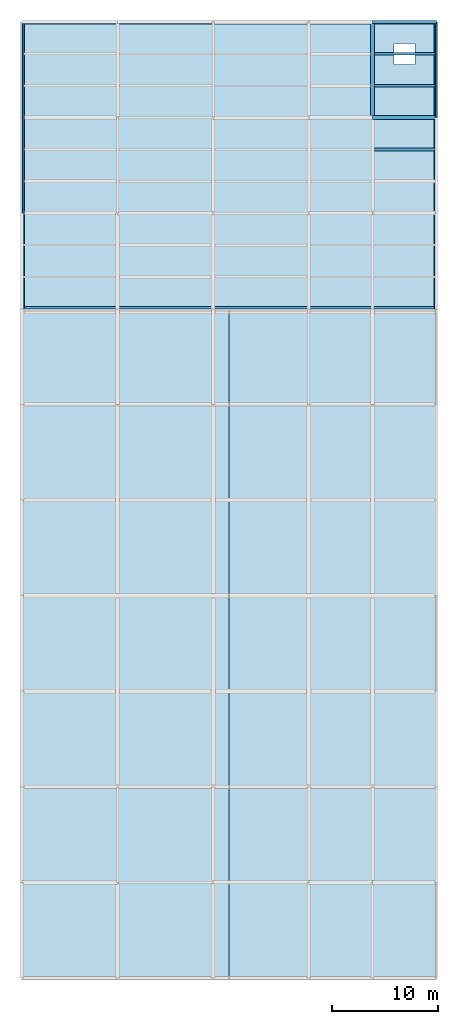
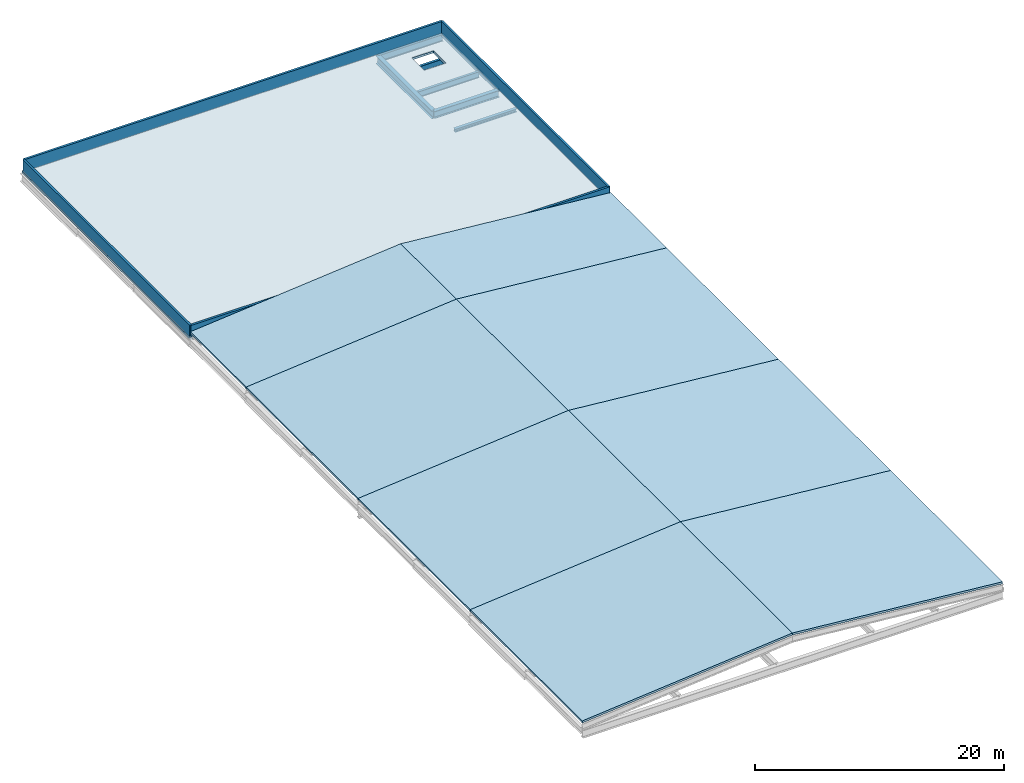
# One storey, part 2 of 3: 8 roofs, 7 beams, 4 walls, 1 slab.
"""IFC4 building model written with IfcOpenShell, lengths in metres."""

from ifc_helpers import new_model, si_unit, direction, frame, frame_2d, origin, origin_2d, place, context, subcontext, project, spatial, polyline, rectangle, hollow_rectangle, i_section, outline, extrude, material, layer, layer_set, material_profile, profile_set, type_object, element, save


model = new_model("IFC4")

# Units and contexts
model_context = context("Model", 3, precision=1e-05, world=origin(), true_north=direction((0.0, 1.0)))
body_context = subcontext(model_context, "Body", "Model", "MODEL_VIEW")
ifc_project = project(units=[si_unit("LENGTHUNIT", "METRE"), si_unit("AREAUNIT", "SQUARE_METRE"), si_unit("VOLUMEUNIT", "CUBIC_METRE"), si_unit("PLANEANGLEUNIT", "RADIAN"), si_unit("MASSUNIT", "GRAM", prefix="KILO")], contexts=[model_context])

# Site, building, storey
site_placement = place(None, origin())
site = spatial("IfcSite", under=ifc_project, at=site_placement, CompositionType="ELEMENT")
building_placement = place(site_placement, origin())
building = spatial("IfcBuilding", under=site, at=building_placement, Name="Qamarlyn Nura Convention Centre", CompositionType="ELEMENT")
storey_placement = place(building_placement, frame((0.0, 0.0, 30.0)))
storey = spatial("IfcBuildingStorey", under=building, at=storey_placement, Name="RF", CompositionType="ELEMENT", Elevation=30.0)

# Beams
ifc_material_1 = material(Name="Steel ASTM A992", Category="steel")
ifc_material_profile_1 = material_profile(ifc_material_1, i_section(OverallWidth=0.35498046875, OverallDepth=0.695068359375, WebThickness=0.015380859375, FlangeThickness=0.02490234375, FilletRadius=0.01806640625, at=origin_2d()), Name="W690X217")
ifc_profile_set_1 = profile_set([ifc_material_profile_1], Name="Steel ASTM A992")
beam_type_1 = type_object("IfcBeamType", Name="BM-GIRD-690A", PredefinedType="BEAM", material=ifc_profile_set_1)
beam_1_placement = place(storey_placement, frame((186.0, 81.0, -0.552490234375), z_axis=(1.0, 0.0, 0.0), x_axis=(0.0, 1.0, 0.0)))
element("IfcBeam", 1, at=beam_1_placement, inside=storey, type_object=beam_type_1, Name="RF girder K 17-18", PredefinedType="BEAM", context=body_context, shape_type="SweptSolid", body=[
    extrude(i_section(OverallWidth=0.35498046875, OverallDepth=0.695068359375, WebThickness=0.015380859375, FlangeThickness=0.02490234375, FilletRadius=0.01806640625, at=origin_2d()), origin(), (0.0, 0.0, 1.0), 6.0),
])
ifc_material_profile_2 = material_profile(ifc_material_1, i_section(OverallWidth=0.25390625, OverallDepth=0.68408203125, WebThickness=0.012451171875, FlangeThickness=0.01904296875, FilletRadius=0.01806640625, at=origin_2d()), Name="W690X140")
ifc_profile_set_2 = profile_set([ifc_material_profile_2], Name="Steel ASTM A992")
beam_type_2 = type_object("IfcBeamType", Name="BM-GIRD-690B", PredefinedType="BEAM", material=ifc_profile_set_2)
beam_2_placement = place(storey_placement, frame((186.0, 90.0, -0.547119140625), z_axis=(1.0, 0.0, 0.0), x_axis=(0.0, 1.0, 0.0)))
element("IfcBeam", 2, at=beam_2_placement, inside=storey, type_object=beam_type_2, Name="RF girder L 17-18", PredefinedType="BEAM", context=body_context, shape_type="SweptSolid", body=[
    extrude(i_section(OverallWidth=0.25390625, OverallDepth=0.68408203125, WebThickness=0.012451171875, FlangeThickness=0.01904296875, FilletRadius=0.01806640625, at=origin_2d()), origin(), (0.0, 0.0, 1.0), 6.0),
])
ifc_material_profile_3 = material_profile(ifc_material_1, i_section(OverallWidth=0.381103515625, OverallDepth=0.77294921875, WebThickness=0.0166015625, FlangeThickness=0.027587890625, FilletRadius=0.02001953125, at=origin_2d()), Name="W760X257")
ifc_profile_set_3 = profile_set([ifc_material_profile_3], Name="Steel ASTM A992")
beam_type_3 = type_object("IfcBeamType", Name="BM-GIRD-760", PredefinedType="BEAM", material=ifc_profile_set_3)
beam_3_placement = place(storey_placement, frame((186.0, 81.0, -0.591552734375), z_axis=(0.0, 1.0, 0.0), x_axis=(-1.0, 0.0, 0.0)))
element("IfcBeam", 3, at=beam_3_placement, inside=storey, type_object=beam_type_3, Name="RF girder 17 K-L", PredefinedType="BEAM", context=body_context, shape_type="SweptSolid", body=[
    extrude(i_section(OverallWidth=0.381103515625, OverallDepth=0.77294921875, WebThickness=0.0166015625, FlangeThickness=0.027587890625, FilletRadius=0.02001953125, at=origin_2d()), origin(), (0.0, 0.0, 1.0), 9.0),
])
ifc_material_profile_4 = material_profile(ifc_material_1, i_section(OverallWidth=0.304931640625, OverallDepth=0.30810546875, WebThickness=0.010009765625, FlangeThickness=0.015380859375, FilletRadius=0.014892578125, at=origin_2d()), Name="W310X97")
ifc_profile_set_4 = profile_set([ifc_material_profile_4], Name="Steel ASTM A992")
beam_type_4 = type_object("IfcBeamType", Name="BM-JOIST-310", PredefinedType="JOIST", material=ifc_profile_set_4)
beam_4_placement = place(storey_placement, frame((186.162109375, 78.0, -0.35888671875), z_axis=(1.0, 0.0, 0.0), x_axis=(0.0, 1.0, 0.0)))
element("IfcBeam", 4, at=beam_4_placement, inside=storey, type_object=beam_type_4, Name="RF composite joist 17-18/J+2", PredefinedType="JOIST", context=body_context, shape_type="SweptSolid", body=[
    extrude(i_section(OverallWidth=0.304931640625, OverallDepth=0.30810546875, WebThickness=0.010009765625, FlangeThickness=0.015380859375, FilletRadius=0.014892578125, at=origin_2d()), origin(), (0.0, 0.0, 1.0), 5.741455078125),
])
ifc_material_profile_5 = material_profile(ifc_material_1, i_section(OverallWidth=0.22802734375, OverallDepth=0.60791015625, WebThickness=0.01123046875, FlangeThickness=0.017333984375, FilletRadius=0.01611328125, at=origin_2d()), Name="W610X113")
ifc_profile_set_5 = profile_set([ifc_material_profile_5], Name="Steel ASTM A992")
beam_type_5 = type_object("IfcBeamType", Name="BM-JOIST-610", PredefinedType="JOIST", material=ifc_profile_set_5)
for number, where, z_axis, x_axis, name in (
    (5, (186.1904296875, 84.0, -0.509033203125), (1.0, 0.0, 0.0), (0.0, 1.0, 0.0), "RF composite joist 17-18/K+1"),
    (6, (186.1904296875, 87.0, -0.509033203125), (1.0, 0.0, 0.0), (0.0, 1.0, 0.0), "RF composite joist 17-18/K+2"),
):
    element("IfcBeam", number, at=place(storey_placement, frame(where, z_axis=z_axis, x_axis=x_axis)), inside=storey, type_object=beam_type_5, Name=name, PredefinedType="JOIST", context=body_context, shape_type="SweptSolid", body=[
        extrude(i_section(OverallWidth=0.22802734375, OverallDepth=0.60791015625, WebThickness=0.01123046875, FlangeThickness=0.017333984375, FilletRadius=0.01611328125, at=origin_2d()), origin(), (0.0, 0.0, 1.0), 5.70947265625),
    ])
ifc_material_2 = material(Name="Steel ASTM A500 Grade C", Category="steel")
ifc_material_profile_6 = material_profile(ifc_material_2, hollow_rectangle(XDim=0.199951171875, YDim=0.300048828125, WallThickness=0.012451171875, InnerFilletRadius=0.012451171875, OuterFilletRadius=0.02490234375, at=origin_2d()), Name="HSS300X200X12.5")
ifc_profile_set_6 = profile_set([ifc_material_profile_6], Name="Steel ASTM A500 Grade C")
beam_type_6 = type_object("IfcBeamType", Name="BM-SPAN-HSS", PredefinedType="SPANDREL", material=ifc_profile_set_6)
beam_5_placement = place(storey_placement, frame((192.0, 81.0, -0.35498046875), z_axis=(0.0, 1.0, 0.0), x_axis=(-1.0, 0.0, 0.0)))
element("IfcBeam", 7, at=beam_5_placement, inside=storey, type_object=beam_type_6, Name="RF girder 18 K-L", PredefinedType="SPANDREL", context=body_context, shape_type="SweptSolid", body=[
    extrude(hollow_rectangle(XDim=0.199951171875, YDim=0.300048828125, WallThickness=0.012451171875, InnerFilletRadius=0.012451171875, OuterFilletRadius=0.02490234375, at=origin_2d()), origin(), (0.0, 0.0, 1.0), 9.0),
])

# Slab
ifc_material_3 = material(Name="Concrete C40/50", Category="concrete")
ifc_layer_1 = layer(ifc_material_3, 0.205078125, Name="RF-CRN")
ifc_layer_set_1 = layer_set([ifc_layer_1], Name="Concrete C40/50")
slab_type = type_object("IfcSlabType", Name="RF-CRN", PredefinedType="ROOF", material=ifc_layer_set_1)
slab_placement = place(storey_placement, frame((0.0, 0.0, -0.205078125)))
element("IfcSlab", 8, at=slab_placement, inside=storey, type_object=slab_type, Name="RF flat roof deck R-RF-CR1", PredefinedType="ROOF", context=body_context, shape_type="SweptSolid", body=[
    extrude(outline(polyline([(153.0, 63.0), (153.0, 90.0), (192.0, 90.0), (192.0, 63.0), (153.0, 63.0)]), holes=[polyline([(190.0, 88.0), (188.0, 88.0), (188.0, 86.0), (190.0, 86.0), (190.0, 88.0)])]), origin(), (0.0, 0.0, 1.0), 0.205078125),
])

# Walls
ifc_layer_2 = layer(ifc_material_3, 0.18505859375, Name="WT-PAR-185")
ifc_layer_set_2 = layer_set([ifc_layer_2], Name="Concrete C40/50")
wall_type_1 = type_object("IfcWallType", Name="WT-PAR-185", PredefinedType="PARAPET", material=ifc_layer_set_2)
for number, where, z_axis, x_axis, name in (
    (9, (191.89990234375, 63.10009765625, 0.0), (0.0, 0.0, 1.0), (0.0, 1.0, 0.0), "RF roof parapet wall 02"),
    (10, (153.10009765625, 89.89990234375, 0.0), (0.0, 0.0, 1.0), (0.0, -1.0, 0.0), "RF roof parapet wall 04"),
):
    element("IfcWall", number, at=place(storey_placement, frame(where, z_axis=z_axis, x_axis=x_axis)), inside=storey, type_object=wall_type_1, Name=name, PredefinedType="PARAPET", context=body_context, shape_type="SweptSolid", body=[
        extrude(rectangle(XDim=26.7998046875, YDim=0.18505859375, at=frame_2d((13.39990234375, 0.0))), origin(), (0.0, 0.0, 1.0), 1.14990234375),
    ])
ifc_layer_3 = layer(ifc_material_3, 0.205078125, Name="WT-PAR-205")
ifc_layer_set_3 = layer_set([ifc_layer_3], Name="Concrete C40/50")
wall_type_2 = type_object("IfcWallType", Name="WT-PAR-205", PredefinedType="PARAPET", material=ifc_layer_set_3)
for number, where, z_axis, x_axis, name in (
    (11, (153.10009765625, 63.10009765625, 0.0), (0.0, 0.0, 1.0), (1.0, 0.0, 0.0), "RF roof parapet wall 01"),
    (12, (191.89990234375, 89.89990234375, 0.0), (0.0, 0.0, 1.0), (-1.0, 0.0, 0.0), "RF roof parapet wall 03"),
):
    element("IfcWall", number, at=place(storey_placement, frame(where, z_axis=z_axis, x_axis=x_axis)), inside=storey, type_object=wall_type_2, Name=name, PredefinedType="PARAPET", context=body_context, shape_type="SweptSolid", body=[
        extrude(rectangle(XDim=38.7998046875, YDim=0.205078125, at=frame_2d((19.39990234375, 0.0))), origin(), (0.0, 0.0, 1.0), 1.14990234375),
    ])

# Roofs
ifc_material_4 = material(Name="High-albedo standing-seam insulated steel roof", Category="steel")
ifc_layer_4 = layer(ifc_material_4, 0.199951171875, Name="ROOF-CROWN-FREE")
ifc_layer_set_4 = layer_set([ifc_layer_4], Name="High-albedo standing-seam insulated steel roof")
roof_type = type_object("IfcRoofType", Name="ROOF-CROWN-FREE", PredefinedType="FREEFORM", material=ifc_layer_set_4)
for number, where, z_axis, x_axis, name in (
    (13, (153.0, 0.0, 0.60498046875), (-0.091919396556, 0.0, 0.995766450799), (0.995766450799, 0.0, 0.091919396556), "Congress crown sloped roof 1W"),
    (14, (172.5, 0.0, 2.405029296875), (0.091919396556, 0.0, 0.995766450799), (0.995766450799, 0.0, -0.091919396556), "Congress crown sloped roof 1E"),
    (15, (153.0, 18.0, 0.60498046875), (-0.091919396556, 0.0, 0.995766450799), (0.995766450799, 0.0, 0.091919396556), "Congress crown sloped roof 2W"),
    (16, (172.5, 18.0, 2.405029296875), (0.091919396556, 0.0, 0.995766450799), (0.995766450799, 0.0, -0.091919396556), "Congress crown sloped roof 2E"),
    (17, (153.0, 36.0, 0.60498046875), (-0.091919396556, 0.0, 0.995766450799), (0.995766450799, 0.0, 0.091919396556), "Congress crown sloped roof 3W"),
    (18, (172.5, 36.0, 2.405029296875), (0.091919396556, 0.0, 0.995766450799), (0.995766450799, 0.0, -0.091919396556), "Congress crown sloped roof 3E"),
):
    element("IfcRoof", number, at=place(storey_placement, frame(where, z_axis=z_axis, x_axis=x_axis)), inside=storey, type_object=roof_type, Name=name, PredefinedType="FREEFORM", context=body_context, shape_type="SweptSolid", body=[
        extrude(outline(polyline([(0.0, 0.0), (19.58290519263253, 0.0), (19.58290519263253, 18.0), (0.0, 18.0), (0.0, 0.0)])), origin(), (0.0, 0.0, -1.0), 0.199951171875),
    ])
for number, where, z_axis, x_axis, name in (
    (19, (153.0, 54.0, 0.60498046875), (-0.091919396556, 0.0, 0.995766450799), (0.995766450799, 0.0, 0.091919396556), "Congress crown sloped roof 4W"),
    (20, (172.5, 54.0, 2.405029296875), (0.091919396556, 0.0, 0.995766450799), (0.995766450799, 0.0, -0.091919396556), "Congress crown sloped roof 4E"),
):
    element("IfcRoof", number, at=place(storey_placement, frame(where, z_axis=z_axis, x_axis=x_axis)), inside=storey, type_object=roof_type, Name=name, PredefinedType="FREEFORM", context=body_context, shape_type="SweptSolid", body=[
        extrude(outline(polyline([(0.0, 0.0), (19.58290519263253, 0.0), (19.58290519263253, 8.949951171875), (0.0, 8.949951171875), (0.0, 0.0)])), origin(), (0.0, 0.0, -1.0), 0.199951171875),
    ])

save(model, "model.ifc")
